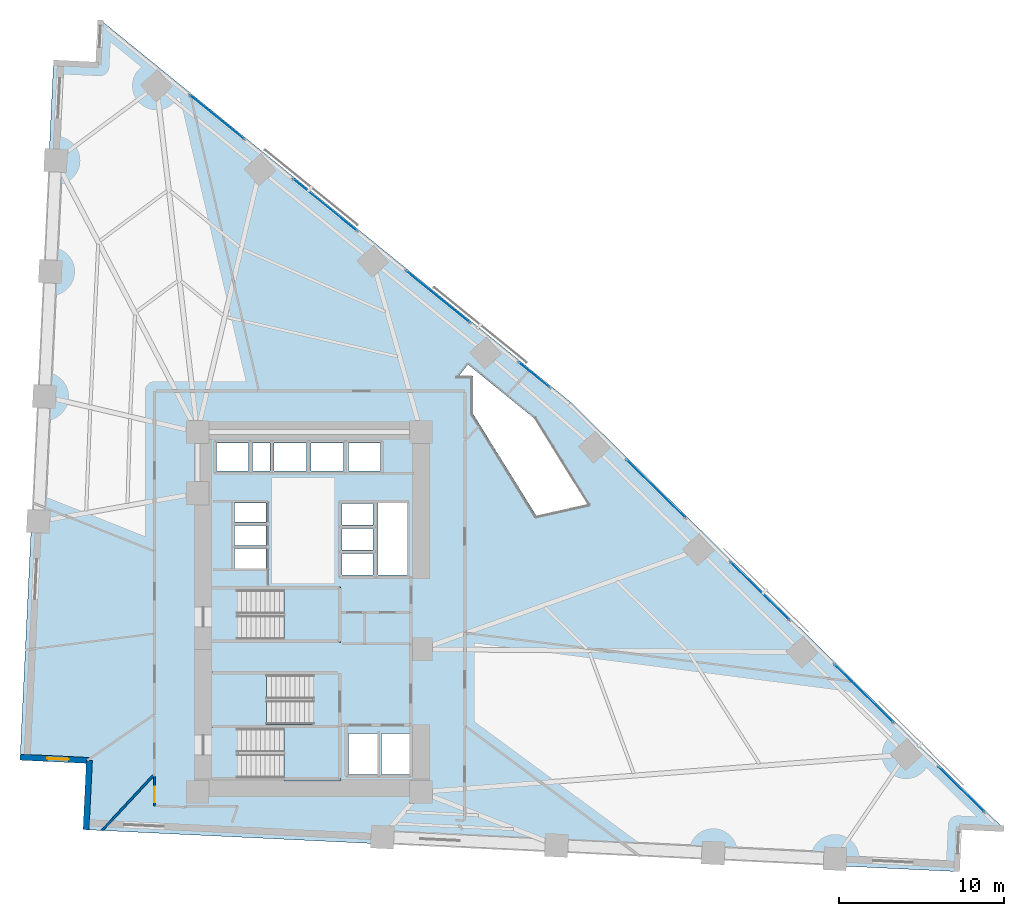
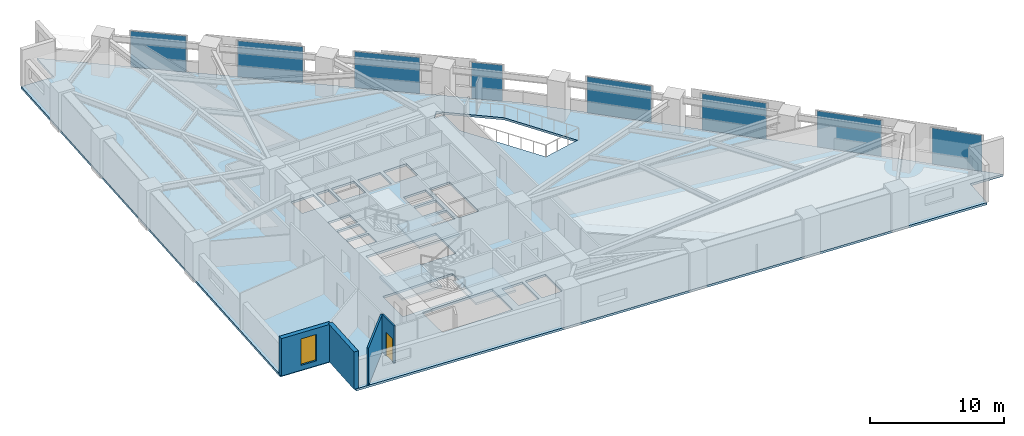
# One storey, part 12 of 17: 8 plates, 4 slabs, 4 walls, 1 door, 1 window, 2 openings, 11 elements without a shape of their own.
"""IFC4 building model written with IfcOpenShell, lengths in metres."""

import ifcopenshell
import ifcopenshell.guid

model = None  # the IFC model being written
_history = None  # IfcOwnerHistory: only IFC2X3 demands one
_inside = {}  # id of a spatial element -> (the spatial element, [elements in it])
_under = {}  # id of a project, library or spatial element -> (it, [spatial elements below it])
_declared = {}  # id of a project -> (the project, [libraries it declares])
_typed = {}  # id of a type object -> (the type object, [elements of that type])
_made_of = {}  # id of a material, layer set ... -> (it, [elements and type objects made of it])


def new_model(schema):
    """Start an empty IFC model of exactly this schema.

    Asked for "IFC4X3", IfcOpenShell would pick the latest addendum, in which some entities
    have other attributes; the version numbers below select the first issue.
    IFC2X3 requires an IfcOwnerHistory on every rooted entity: one is made here for all.
    """
    global model, _history
    if schema == "IFC4X3":
        model = ifcopenshell.file(schema_version=(4, 3, 0, 0))
    else:
        model = ifcopenshell.file(schema=schema)
    _inside.clear()
    _under.clear()
    _declared.clear()
    _typed.clear()
    _made_of.clear()
    _history = None
    if model.schema == "IFC2X3":
        org = make("IfcOrganization", Name="unknown")
        user = make(
            "IfcPersonAndOrganization",
            ThePerson=make("IfcPerson", FamilyName="unknown"),
            TheOrganization=org,
        )
        app = make(
            "IfcApplication",
            ApplicationDeveloper=org,
            Version="unknown",
            ApplicationFullName="unknown",
            ApplicationIdentifier="unknown",
        )
        _history = make(
            "IfcOwnerHistory",
            OwningUser=user,
            OwningApplication=app,
            ChangeAction="ADDED",
            CreationDate=0,
        )
    return model


def make(cls, **values):
    """One entity of the class cls with the attributes given. An attribute that is None is left unset."""
    return model.create_entity(
        cls, **{name: value for name, value in values.items() if value is not None}
    )


def rooted(cls, **values):
    """An entity with a GlobalId (a new one), such as an element, a storey or a relation."""
    return make(cls, GlobalId=ifcopenshell.guid.new(), OwnerHistory=_history, **values)


def si_unit(unit_type, name, prefix=None):
    """IfcSIUnit, for example si_unit("LENGTHUNIT", "METRE", prefix="MILLI")."""
    return make("IfcSIUnit", UnitType=unit_type, Prefix=prefix, Name=name)


def assignment(units):
    """IfcUnitAssignment: the units of a project."""
    return None if units is None else make("IfcUnitAssignment", Units=units)


def point(xyz):
    """IfcCartesianPoint."""
    return None if xyz is None else make("IfcCartesianPoint", Coordinates=xyz)


def direction(xyz):
    """IfcDirection."""
    return None if xyz is None else make("IfcDirection", DirectionRatios=xyz)


def frame(location, z_axis=None, x_axis=None):
    """IfcAxis2Placement3D, a coordinate frame: its origin and axes. An axis left out is left unset."""
    return make(
        "IfcAxis2Placement3D",
        Location=point(location),
        Axis=direction(z_axis),
        RefDirection=direction(x_axis),
    )


def frame_2d(location, x_axis=None):
    """IfcAxis2Placement2D, a coordinate frame in the plane: its origin and x axis."""
    return make(
        "IfcAxis2Placement2D", Location=point(location), RefDirection=direction(x_axis)
    )


def origin():
    """The frame at (0, 0, 0) with its axes left unset."""
    return frame((0.0, 0.0, 0.0))


def origin_2d():
    """The frame at (0, 0) in the plane with its x axis left unset."""
    return frame_2d((0.0, 0.0))


def place(relative_to, where):
    """IfcLocalPlacement: puts the frame where relative to a parent placement (None: the world)."""
    return make(
        "IfcLocalPlacement", PlacementRelTo=relative_to, RelativePlacement=where
    )


def context(
    kind, dimensions, precision=None, world=None, true_north=None, identifier=None
):
    """IfcGeometricRepresentationContext, for example the 3D "Model" context."""
    return make(
        "IfcGeometricRepresentationContext",
        ContextIdentifier=identifier,
        ContextType=kind,
        CoordinateSpaceDimension=dimensions,
        Precision=precision,
        WorldCoordinateSystem=world,
        TrueNorth=true_north,
    )


def subcontext(parent, identifier, kind, view, scale=None):
    """IfcGeometricRepresentationSubContext, for example "Body" below "Model"."""
    return make(
        "IfcGeometricRepresentationSubContext",
        ContextIdentifier=identifier,
        ContextType=kind,
        ParentContext=parent,
        TargetScale=scale,
        TargetView=view,
    )


def project(units=None, contexts=None):
    """IfcProject with its units and contexts."""
    return rooted(
        "IfcProject",
        Name="project",
        RepresentationContexts=contexts,
        UnitsInContext=assignment(units),
    )


def spatial(cls, under=None, at=None, **own):
    """A site, building, storey or space (cls), placed at a placement, below another one or the project."""
    s = rooted(cls, ObjectPlacement=at, **own)
    if under is not None:
        _under.setdefault(under.id(), (under, []))[1].append(s)
    return s


def polyline(points):
    """IfcPolyline through the points."""
    return make("IfcPolyline", Points=[point(p) for p in points])


def profile(cls, at=None, kind="AREA", **sizes):
    """A parametric profile (cls). Its sizes go by their IFC names, for example OverallWidth=200.0."""
    return make(cls, ProfileType=kind, Position=at, **sizes)


def rectangle(**sizes):
    """IfcRectangleProfileDef."""
    return profile("IfcRectangleProfileDef", **sizes)


def outline(outer, holes=None, kind="AREA"):
    """IfcArbitraryClosedProfileDef: a profile drawn as a closed curve; with holes, ...WithVoids."""
    if holes is None:
        return make("IfcArbitraryClosedProfileDef", ProfileType=kind, OuterCurve=outer)
    return make(
        "IfcArbitraryProfileDefWithVoids",
        ProfileType=kind,
        OuterCurve=outer,
        InnerCurves=holes,
    )


def extrude(swept, where, along, depth):
    """IfcExtrudedAreaSolid: the profile swept, set in the frame where, extruded along a direction by depth."""
    return make(
        "IfcExtrudedAreaSolid",
        SweptArea=swept,
        Position=where,
        ExtrudedDirection=direction(along),
        Depth=depth,
    )


def shape(context_of_items, identifier, shape_type, items):
    """IfcShapeRepresentation: the items that make up one representation, for example the "Body"."""
    return make(
        "IfcShapeRepresentation",
        ContextOfItems=context_of_items,
        RepresentationIdentifier=identifier,
        RepresentationType=shape_type,
        Items=items,
    )


def material(Name=None, Category=None):
    """IfcMaterial."""
    return make("IfcMaterial", Name=Name, Category=Category)


def layer(
    of_material, thickness, ventilated=None, Name=None, Category=None, Priority=None
):
    """IfcMaterialLayer: one layer of a wall or slab, of a material (None: an air gap)."""
    return make(
        "IfcMaterialLayer",
        Material=of_material,
        LayerThickness=thickness,
        IsVentilated=ventilated,
        Name=Name,
        Category=Category,
        Priority=Priority,
    )


def layer_set(layers, Name=None):
    """IfcMaterialLayerSet."""
    return make("IfcMaterialLayerSet", MaterialLayers=layers, LayerSetName=Name)


def made_of(thing, what):
    """Note that an element or type object is made of a material, layer set ...; save() writes the relation."""
    if what is not None:
        _made_of.setdefault(what.id(), (what, []))[1].append(thing)
    return thing


def type_object(cls, material=None, **own):
    """A type object (cls), such as IfcWallType, which elements share."""
    return made_of(rooted(cls, **own), material)


def element(
    cls,
    number,
    at=None,
    inside=None,
    cuts=None,
    type_object=None,
    material=None,
    context=None,
    identifier="Body",
    shape_type=None,
    held_by="IfcProductDefinitionShape",
    body=None,
    shapes=None,
    **own,
):
    """One element of the class cls, such as IfcWall. Its Tag is "e" and its number.

    at: its placement. inside: the storey or other place that contains it. cuts: it is an
    opening in that element (IfcRelVoidsElement). A single representation is given by context,
    identifier, shape_type and body (its items); several are given by shapes. held_by: the class
    of the entity that holds the representations. save() writes the other relations.
    """
    e = rooted(cls, Tag="e%d" % number, ObjectPlacement=at, **own)
    if body is not None:
        shapes = [shape(context, identifier, shape_type, body)]
    if shapes is not None:
        e.Representation = make(held_by, Representations=shapes)
    if inside is not None:
        _inside.setdefault(inside.id(), (inside, []))[1].append(e)
    if cuts is not None:
        rooted(
            "IfcRelVoidsElement", RelatingBuildingElement=cuts, RelatedOpeningElement=e
        )
    if type_object is not None:
        _typed.setdefault(type_object.id(), (type_object, []))[1].append(e)
    return made_of(e, material)


def fill(opening, filler):
    """IfcRelFillsElement: the door or window that sits in an opening."""
    return rooted(
        "IfcRelFillsElement",
        RelatingOpeningElement=opening,
        RelatedBuildingElement=filler,
    )


def aggregate(whole, parts):
    """IfcRelAggregates: a whole, such as a stair, and the parts it consists of."""
    return rooted("IfcRelAggregates", RelatingObject=whole, RelatedObjects=parts)


def save(model, path):
    """Write the relations noted so far, then the file.

    IfcRelAggregates (storeys below a building ...), IfcRelContainedInSpatialStructure (elements
    in a storey), IfcRelDefinesByType, IfcRelAssociatesMaterial and IfcRelDeclares: one each for
    every whole, place, type object, material and project.
    """
    for whole, parts in _under.values():
        aggregate(whole, parts)
    for where, things in _inside.values():
        rooted(
            "IfcRelContainedInSpatialStructure",
            RelatedElements=things,
            RelatingStructure=where,
        )
    for kind, things in _typed.values():
        rooted("IfcRelDefinesByType", RelatedObjects=things, RelatingType=kind)
    for what, things in _made_of.values():
        rooted("IfcRelAssociatesMaterial", RelatedObjects=things, RelatingMaterial=what)
    for by, libraries in _declared.values():
        rooted("IfcRelDeclares", RelatingContext=by, RelatedDefinitions=libraries)
    model.write(path)


model = new_model("IFC4")

# Units and contexts
model_context = context("Model", 3, precision=1e-05, world=origin(), true_north=direction((0.0, 1.0)))
body_context = subcontext(model_context, "Body", "Model", "MODEL_VIEW")
ifc_project = project(units=[si_unit("LENGTHUNIT", "METRE"), si_unit("AREAUNIT", "SQUARE_METRE"), si_unit("VOLUMEUNIT", "CUBIC_METRE"), si_unit("PLANEANGLEUNIT", "RADIAN"), si_unit("MASSUNIT", "GRAM", prefix="KILO")], contexts=[model_context])

# Site, building, storey
site_placement = place(None, origin())
site = spatial("IfcSite", under=ifc_project, at=site_placement, CompositionType="ELEMENT")
building_placement = place(site_placement, origin())
building = spatial("IfcBuilding", under=site, at=building_placement, Name="Narakoshi Arena Tower", CompositionType="ELEMENT")
storey_placement = place(building_placement, frame((0.0, 0.0, 51.89990234375)))
storey = spatial("IfcBuildingStorey", under=building, at=storey_placement, Name="L13", CompositionType="ELEMENT", Elevation=51.89990234375)

# Curtain wall, plate
ifc_material_1 = material(Name="Anodised bronze aluminium 6063-T6", Category="aluminium")
curtain_wall_type = type_object("IfcCurtainWallType", Name="CW-HYP-LOW", PredefinedType="NOTDEFINED", material=ifc_material_1)
curtain_wall_1_placement = place(storey_placement, origin())
curtain_wall_1 = element("IfcCurtainWall", 1, at=curtain_wall_1_placement, inside=storey, type_object=curtain_wall_type, Name="L13 Folded Hypotenuse Curtain Wall 1-1", PredefinedType="NOTDEFINED")
ifc_material_2 = material(Name="Bronze-tinted low-E laminated glass", Category="glass")
ifc_layer_1 = layer(ifc_material_2, 0.031982421875)
ifc_layer_set_1 = layer_set([ifc_layer_1], Name="Bronze-tinted low-E laminated glass")
plate_type = type_object("IfcPlateType", Name="PLT-GLZ-32", PredefinedType="CURTAIN_PANEL", material=ifc_layer_set_1)
plate_1_placement = place(storey_placement, frame((118.277587890625, 34.8505859375, 0.065185546875), z_axis=(0.0, 0.0, 1.0), x_axis=(-0.712541277695, 0.701630192894, 0.0)))
plate_1 = element("IfcPlate", 2, at=plate_1_placement, type_object=plate_type, Name="CW-01 panel 1.1", PredefinedType="CURTAIN_PANEL", context=body_context, shape_type="SweptSolid", body=[
    extrude(rectangle(XDim=3.85498046875, YDim=0.031982421875, at=origin_2d()), origin(), (0.0, 0.0, 1.0), 3.27001953125),
])
aggregate(curtain_wall_1, [plate_1])

curtain_wall_2_placement = place(storey_placement, origin())
curtain_wall_2 = element("IfcCurtainWall", 3, at=curtain_wall_2_placement, inside=storey, type_object=curtain_wall_type, Name="L13 Folded Hypotenuse Curtain Wall 1-2", PredefinedType="NOTDEFINED")
plate_2_placement = place(storey_placement, frame((112.375, 40.66259765625, 0.065185546875), z_axis=(0.0, 0.0, 1.0), x_axis=(-0.712548329451, 0.701623031404, 0.0)))
plate_2 = element("IfcPlate", 4, at=plate_2_placement, type_object=plate_type, Name="CW-01 panel 1.1", PredefinedType="CURTAIN_PANEL", context=body_context, shape_type="SweptSolid", body=[
    extrude(rectangle(XDim=4.966552734375, YDim=0.031982421875, at=origin_2d()), origin(), (0.0, 0.0, 1.0), 3.27001953125),
])
aggregate(curtain_wall_2, [plate_2])

curtain_wall_3_placement = place(storey_placement, origin())
curtain_wall_3 = element("IfcCurtainWall", 5, at=curtain_wall_3_placement, inside=storey, type_object=curtain_wall_type, Name="L13 Folded Hypotenuse Curtain Wall 1-3", PredefinedType="NOTDEFINED")
plate_3_placement = place(storey_placement, frame((106.07666015625, 46.864501953125, 0.065185546875), z_axis=(0.0, 0.0, 1.0), x_axis=(-0.712538708053, 0.701632802488, 0.0)))
plate_3 = element("IfcPlate", 6, at=plate_3_placement, type_object=plate_type, Name="CW-01 panel 1.1", PredefinedType="CURTAIN_PANEL", context=body_context, shape_type="SweptSolid", body=[
    extrude(rectangle(XDim=4.966552734375, YDim=0.031982421875, at=origin_2d()), origin(), (0.0, 0.0, 1.0), 3.27001953125),
])
aggregate(curtain_wall_3, [plate_3])

curtain_wall_4_placement = place(storey_placement, origin())
curtain_wall_4 = element("IfcCurtainWall", 7, at=curtain_wall_4_placement, inside=storey, type_object=curtain_wall_type, Name="L13 Folded Hypotenuse Curtain Wall 1-4", PredefinedType="NOTDEFINED")
plate_4_placement = place(storey_placement, frame((99.7783203125, 53.06640625, 0.065185546875), z_axis=(0.0, 0.0, 1.0), x_axis=(-0.712538708053, 0.701632802488, 0.0)))
plate_4 = element("IfcPlate", 8, at=plate_4_placement, type_object=plate_type, Name="CW-01 panel 1.1", PredefinedType="CURTAIN_PANEL", context=body_context, shape_type="SweptSolid", body=[
    extrude(rectangle(XDim=4.966552734375, YDim=0.031982421875, at=origin_2d()), origin(), (0.0, 0.0, 1.0), 3.27001953125),
])
aggregate(curtain_wall_4, [plate_4])

curtain_wall_5_placement = place(storey_placement, origin())
curtain_wall_5 = element("IfcCurtainWall", 9, at=curtain_wall_5_placement, inside=storey, type_object=curtain_wall_type, Name="L13 Folded Hypotenuse Curtain Wall 2-1", PredefinedType="NOTDEFINED")
plate_5_placement = place(storey_placement, frame((92.40087890625, 59.964111328125, 0.065185546875), z_axis=(0.0, 0.0, 1.0), x_axis=(-0.776007918256, 0.63072316495, 0.0)))
plate_5 = element("IfcPlate", 10, at=plate_5_placement, type_object=plate_type, Name="CW-01 panel 1.1", PredefinedType="CURTAIN_PANEL", context=body_context, shape_type="SweptSolid", body=[
    extrude(rectangle(XDim=2.35888671875, YDim=0.031982421875, at=origin_2d()), origin(), (0.0, 0.0, 1.0), 3.27001953125),
])
aggregate(curtain_wall_5, [plate_5])

curtain_wall_6_placement = place(storey_placement, origin())
curtain_wall_6 = element("IfcCurtainWall", 11, at=curtain_wall_6_placement, inside=storey, type_object=curtain_wall_type, Name="L13 Folded Hypotenuse Curtain Wall 2-2", PredefinedType="NOTDEFINED")
plate_6_placement = place(storey_placement, frame((86.566650390625, 64.7060546875, 0.065185546875), z_axis=(0.0, 0.0, 1.0), x_axis=(-0.775998434519, 0.630734833051, 0.0)))
plate_6 = element("IfcPlate", 12, at=plate_6_placement, type_object=plate_type, Name="CW-01 panel 1.1", PredefinedType="CURTAIN_PANEL", context=body_context, shape_type="SweptSolid", body=[
    extrude(rectangle(XDim=4.932373046875, YDim=0.031982421875, at=origin_2d()), origin(), (0.0, 0.0, 1.0), 3.27001953125),
])
aggregate(curtain_wall_6, [plate_6])

curtain_wall_7_placement = place(storey_placement, origin())
curtain_wall_7 = element("IfcCurtainWall", 13, at=curtain_wall_7_placement, inside=storey, type_object=curtain_wall_type, Name="L13 Folded Hypotenuse Curtain Wall 2-3", PredefinedType="NOTDEFINED")
plate_7_placement = place(storey_placement, frame((79.73388671875, 70.259765625, 0.065185546875), z_axis=(0.0, 0.0, 1.0), x_axis=(-0.776008064665, 0.630722984816, 0.0)))
plate_7 = element("IfcPlate", 14, at=plate_7_placement, type_object=plate_type, Name="CW-01 panel 1.1", PredefinedType="CURTAIN_PANEL", context=body_context, shape_type="SweptSolid", body=[
    extrude(rectangle(XDim=4.932373046875, YDim=0.031982421875, at=origin_2d()), origin(), (0.0, 0.0, 1.0), 3.27001953125),
])
aggregate(curtain_wall_7, [plate_7])

curtain_wall_8_placement = place(storey_placement, origin())
curtain_wall_8 = element("IfcCurtainWall", 15, at=curtain_wall_8_placement, inside=storey, type_object=curtain_wall_type, Name="L13 Folded Hypotenuse Curtain Wall 2-4", PredefinedType="NOTDEFINED")
plate_8_placement = place(storey_placement, frame((73.18603515625, 75.58203125, 0.065185546875), z_axis=(0.0, 0.0, 1.0), x_axis=(-0.775999332044, 0.630733728817, 0.0)))
plate_8 = element("IfcPlate", 16, at=plate_8_placement, type_object=plate_type, Name="CW-01 panel 1.1", PredefinedType="CURTAIN_PANEL", context=body_context, shape_type="SweptSolid", body=[
    extrude(rectangle(XDim=4.198486328125, YDim=0.031982421875, at=origin_2d()), origin(), (0.0, 0.0, 1.0), 3.27001953125),
])
aggregate(curtain_wall_8, [plate_8])

# Stair, slab
ifc_material_3 = material(Name="Concrete C45/55", Category="concrete")
stair_type = type_object("IfcStairType", Name="STR-CORE-360", PredefinedType="TWO_STRAIGHT_RUN_STAIR", material=ifc_material_3)
stair_1_placement = place(storey_placement, origin())
stair_1 = element("IfcStair", 17, at=stair_1_placement, inside=storey, type_object=stair_type, Name="L13 Core Escape Stair ST1", PredefinedType="TWO_STRAIGHT_RUN_STAIR")
ifc_layer_2 = layer(ifc_material_3, 0.18994140625)
ifc_layer_set_2 = layer_set([ifc_layer_2], Name="Concrete C45/55")
slab_type_1 = type_object("IfcSlabType", Name="SLB-LND-190", PredefinedType="LANDING", material=ifc_layer_set_2)
slab_1_placement = place(storey_placement, frame((0.0, 0.0, 1.610107421875)))
slab_1 = element("IfcSlab", 18, at=slab_1_placement, type_object=slab_type_1, Name="ST1 landing 1", PredefinedType="LANDING", context=body_context, shape_type="SweptSolid", body=[
    extrude(outline(polyline([(77.25, 35.3701171875), (80.679931640625, 35.3701171875), (80.679931640625, 38.72998046875), (77.25, 38.72998046875), (77.25, 35.3701171875)])), origin(), (0.0, 0.0, 1.0), 0.18994140625),
])
aggregate(stair_1, [slab_1])

stair_2_placement = place(storey_placement, origin())
stair_2 = element("IfcStair", 19, at=stair_2_placement, inside=storey, type_object=stair_type, Name="L13 Core Escape Stair ST2", PredefinedType="TWO_STRAIGHT_RUN_STAIR")
slab_2_placement = place(storey_placement, frame((0.0, 0.0, 1.610107421875)))
slab_2 = element("IfcSlab", 20, at=slab_2_placement, type_object=slab_type_1, Name="ST2 landing 1", PredefinedType="LANDING", context=body_context, shape_type="SweptSolid", body=[
    extrude(outline(polyline([(72.77001953125, 38.6201171875), (76.199951171875, 38.6201171875), (76.199951171875, 41.97998046875), (72.77001953125, 41.97998046875), (72.77001953125, 38.6201171875)])), origin(), (0.0, 0.0, 1.0), 0.18994140625),
])
aggregate(stair_2, [slab_2])

stair_3_placement = place(storey_placement, origin())
stair_3 = element("IfcStair", 21, at=stair_3_placement, inside=storey, type_object=stair_type, Name="L13 Core Escape Stair ST3", PredefinedType="TWO_STRAIGHT_RUN_STAIR")
slab_3_placement = place(storey_placement, frame((0.0, 0.0, 1.610107421875)))
slab_3 = element("IfcSlab", 22, at=slab_3_placement, type_object=slab_type_1, Name="ST3 landing 1", PredefinedType="LANDING", context=body_context, shape_type="SweptSolid", body=[
    extrude(outline(polyline([(77.25, 43.77001953125), (80.679931640625, 43.77001953125), (80.679931640625, 47.1298828125), (77.25, 47.1298828125), (77.25, 43.77001953125)])), origin(), (0.0, 0.0, 1.0), 0.18994140625),
])
aggregate(stair_3, [slab_3])

# Slab
ifc_layer_3 = layer(ifc_material_3, 0.199951171875)
ifc_layer_set_3 = layer_set([ifc_layer_3], Name="Concrete C45/55")
slab_type_2 = type_object("IfcSlabType", Name="SLB-TWR-200", PredefinedType="FLOOR", material=ifc_layer_set_3)
slab_4_placement = place(storey_placement, frame((0.0, 0.0, -0.199951171875)))
element("IfcSlab", 23, at=slab_4_placement, inside=storey, type_object=slab_type_2, Name="L13 Structural Floor Slab", PredefinedType="FLOOR", context=body_context, shape_type="SweptSolid", body=[
    extrude(outline(polyline([(65.26025390625, 32.416015625), (117.99951171875, 29.8828125), (118.130615234375, 32.609619140625), (120.857421875, 32.478515625), (94.614013671875, 58.31982421875), (66.144287109375, 81.4599609375), (66.013427734375, 78.733154296875), (63.28662109375, 78.8642578125), (61.2666015625, 36.8125), (65.4619140625, 36.611083984375), (65.26025390625, 32.416015625)]), holes=[polyline([(74.47998046875, 35.550048828125), (74.47998046875, 38.550048828125), (80.5, 38.550048828125), (80.5, 35.550048828125), (74.47998046875, 35.550048828125)]), polyline([(81.14990234375, 35.75), (81.14990234375, 38.25), (82.89990234375, 38.25), (82.89990234375, 35.75), (81.14990234375, 35.75)]), polyline([(83.14990234375, 35.75), (83.14990234375, 38.25), (84.89990234375, 38.25), (84.89990234375, 35.75), (83.14990234375, 35.75)]), polyline([(72.949951171875, 38.800048828125), (72.949951171875, 41.800048828125), (78.969970703125, 41.800048828125), (78.969970703125, 38.800048828125), (72.949951171875, 38.800048828125)]), polyline([(74.47998046875, 43.949951171875), (74.47998046875, 46.949951171875), (80.5, 46.949951171875), (80.5, 43.949951171875), (74.47998046875, 43.949951171875)]), polyline([(82.949951171875, 47.840087890625), (82.949951171875, 52.199951171875), (84.699951171875, 52.199951171875), (84.699951171875, 47.840087890625), (82.949951171875, 47.840087890625)]), polyline([(80.75, 47.85009765625), (80.75, 49.14990234375), (82.64990234375, 49.14990234375), (82.64990234375, 47.85009765625), (80.75, 47.85009765625)]), polyline([(74.25, 48.25), (74.25, 49.449951171875), (76.14990234375, 49.449951171875), (76.14990234375, 48.25), (74.25, 48.25)]), polyline([(80.75, 49.3701171875), (80.75, 50.669921875), (82.64990234375, 50.669921875), (82.64990234375, 49.3701171875), (80.75, 49.3701171875)]), polyline([(74.25, 49.64990234375), (74.25, 50.85009765625), (76.14990234375, 50.85009765625), (76.14990234375, 49.64990234375), (74.25, 49.64990234375)]), polyline([(80.75, 50.889892578125), (80.75, 52.18994140625), (82.64990234375, 52.18994140625), (82.64990234375, 50.889892578125), (80.75, 50.889892578125)]), polyline([(74.25, 51.050048828125), (74.25, 52.2099609375), (76.14990234375, 52.2099609375), (76.14990234375, 51.050048828125), (74.25, 51.050048828125)]), polyline([(95.6357421875, 52.126708984375), (92.53662109375, 51.4306640625), (88.699951171875, 57.60693359375), (88.699951171875, 59.89990234375), (87.83251953125, 59.89990234375), (88.399169921875, 60.600830078125), (92.3837890625, 57.3623046875), (95.6357421875, 52.126708984375)]), polyline([(73.14990234375, 54.14990234375), (73.14990234375, 55.85009765625), (75.10009765625, 55.85009765625), (75.10009765625, 54.14990234375), (73.14990234375, 54.14990234375)]), polyline([(75.35009765625, 55.85009765625), (76.39990234375, 55.85009765625), (76.39990234375, 54.14990234375), (75.35009765625, 54.14990234375), (75.35009765625, 55.85009765625)]), polyline([(76.64990234375, 55.85009765625), (78.60009765625, 55.85009765625), (78.60009765625, 54.14990234375), (76.64990234375, 54.14990234375), (76.64990234375, 55.85009765625)]), polyline([(78.89990234375, 54.14990234375), (78.89990234375, 55.85009765625), (80.85009765625, 55.85009765625), (80.85009765625, 54.14990234375), (78.89990234375, 54.14990234375)]), polyline([(81.14990234375, 55.85009765625), (83.10009765625, 55.85009765625), (83.10009765625, 54.14990234375), (81.14990234375, 54.14990234375), (81.14990234375, 55.85009765625)])]), origin(), (0.0, 0.0, 1.0), 0.199951171875),
])

# Wall, opening, window
ifc_material_4 = material(Name="Precast concrete C45/55", Category="concrete")
ifc_layer_4 = layer(ifc_material_4, 0.419921875)
ifc_layer_set_4 = layer_set([ifc_layer_4], Name="Precast concrete C45/55")
wall_type_1 = type_object("IfcWallType", Name="WL-POD-420", PredefinedType="SOLIDWALL", material=ifc_layer_set_4)
wall_1_placement = place(storey_placement, frame((61.2666015625, 36.8125, 0.0), z_axis=(0.0, 0.0, 1.0), x_axis=(0.998849519138, -0.047954542207, 0.0)))
wall_1 = element("IfcWall", 24, at=wall_1_placement, inside=storey, type_object=wall_type_1, Name="L13 Re-Entrant Corner Notch Wall NTA-1", PredefinedType="SOLIDWALL", context=body_context, shape_type="SweptSolid", body=[
    extrude(rectangle(XDim=4.2001953125, YDim=0.360107421875, at=frame_2d((2.10009765625, 0.0))), origin(), (0.0, 0.0, 1.0), 3.400146484375),
])
opening_1_placement = place(wall_1_placement, frame((1.635009765625, 0.0, 0.449951171875)))
opening_1 = element("IfcOpeningElement", 25, at=opening_1_placement, cuts=wall_1, Name="Opening WN-06", PredefinedType="OPENING", context=body_context, shape_type="SweptSolid", body=[
    extrude(rectangle(XDim=1.300048828125, YDim=2.39990234375, at=frame_2d((0.64990234375, 1.199951171875))), frame((0.0, 0.18994140625, 0.0), z_axis=(0.0, -1.0, 0.0), x_axis=(1.0, 0.0, 0.0)), (0.0, 0.0, 1.0), 0.380126953125),
])
window_type = type_object("IfcWindowType", Name="WIN-NTC-16x24", PartitioningType="SINGLE_PANEL", PredefinedType="WINDOW", material=ifc_material_2)
window_placement = place(opening_1_placement, origin())
window = element("IfcWindow", 26, at=window_placement, inside=storey, type_object=window_type, Name="L13 Corner Notch Window NTA", OverallHeight=2.39990234375, OverallWidth=1.300048828125, PartitioningType="SINGLE_PANEL", PredefinedType="WINDOW", context=body_context, shape_type="SweptSolid", body=[
    extrude(rectangle(XDim=1.300048828125, YDim=2.39990234375, at=frame_2d((0.64990234375, 1.199951171875))), frame((0.0, 0.030029296875, 0.0), z_axis=(0.0, -1.0, 0.0), x_axis=(1.0, 0.0, 0.0)), (0.0, 0.0, 1.0), 0.06005859375),
])
fill(opening_1, window)

# Walls
wall_2_placement = place(storey_placement, frame((65.4619140625, 36.611083984375, 0.0), z_axis=(0.0, 0.0, 1.0), x_axis=(-0.048015322758, -0.998846599224, 0.0)))
element("IfcWall", 27, at=wall_2_placement, inside=storey, type_object=wall_type_1, Name="L13 Re-Entrant Corner Notch Wall NTA-2", PredefinedType="SOLIDWALL", context=body_context, shape_type="SweptSolid", body=[
    extrude(rectangle(XDim=4.199951171875, YDim=0.360107421875, at=frame_2d((2.10009765625, 0.0))), origin(), (0.0, 0.0, 1.0), 3.400146484375),
])
ifc_material_5 = material(Name="Moisture-resistant cement-board partition")
ifc_layer_5 = layer(ifc_material_5, 0.14501953125)
ifc_layer_set_5 = layer_set([ifc_layer_5], Name="Moisture-resistant cement-board partition")
wall_type_2 = type_object("IfcWallType", Name="WL-WET-145", PredefinedType="PARTITIONING", material=ifc_layer_set_5)
wall_3_placement = place(storey_placement, frame((69.330810546875, 35.6982421875, 0.0), z_axis=(0.0, 0.0, 1.0), x_axis=(-0.682115663915, -0.731244296416, 0.0)))
element("IfcWall", 28, at=wall_3_placement, inside=storey, type_object=wall_type_2, Name="L13 Inter-Room Partition 03-04", PredefinedType="PARTITIONING", context=body_context, shape_type="SweptSolid", body=[
    extrude(rectangle(XDim=4.552001953125, YDim=0.14501953125, at=frame_2d((2.27587890625, 0.0))), origin(), (0.0, 0.0, 1.0), 3.400146484375),
])

# Wall, opening, door
wall_4_placement = place(storey_placement, frame((69.402587890625, 35.6298828125, 0.0), z_axis=(0.0, 0.0, 1.0), x_axis=(0.0, -1.0, 0.0)))
wall_4 = element("IfcWall", 29, at=wall_4_placement, inside=storey, type_object=wall_type_2, Name="L13 Corridor Partition 04-2", PredefinedType="PARTITIONING", context=body_context, shape_type="SweptSolid", body=[
    extrude(rectangle(XDim=1.760986328125, YDim=0.14501953125, at=frame_2d((0.88037109375, 0.0))), origin(), (0.0, 0.0, 1.0), 3.400146484375),
])
opening_2_placement = place(wall_4_placement, frame((0.594482421875, 0.0, 0.0)))
opening_2 = element("IfcOpeningElement", 30, at=opening_2_placement, cuts=wall_4, Name="Opening D-07", PredefinedType="OPENING", context=body_context, shape_type="SweptSolid", body=[
    extrude(rectangle(XDim=0.949951171875, YDim=2.14990234375, at=frame_2d((0.47509765625, 1.074951171875))), frame((0.0, 0.08251953125, 0.0), z_axis=(0.0, -1.0, 0.0), x_axis=(1.0, 0.0, 0.0)), (0.0, 0.0, 1.0), 0.1650390625),
])
ifc_material_6 = material(Name="Stained oak solid-core timber", Category="wood")
door_type = type_object("IfcDoorType", Name="DR-ACC-950", OperationType="NOTDEFINED", PredefinedType="DOOR", material=ifc_material_6)
door_placement = place(opening_2_placement, frame((0.949951171875, 0.0, 0.0), z_axis=(0.0, 0.0, 1.0), x_axis=(-1.0, 0.0, 0.0)))
door = element("IfcDoor", 31, at=door_placement, inside=storey, type_object=door_type, Name="DR-L13-017", OperationType="SINGLE_SWING_RIGHT", OverallHeight=2.14990234375, OverallWidth=0.949951171875, PredefinedType="DOOR", context=body_context, shape_type="SweptSolid", body=[
    extrude(rectangle(XDim=0.949951171875, YDim=2.14990234375, at=frame_2d((0.47509765625, 1.074951171875))), frame((0.0, 0.02490234375, 0.0), z_axis=(0.0, -1.0, 0.0), x_axis=(1.0, 0.0, 0.0)), (0.0, 0.0, 1.0), 0.050048828125),
])
fill(opening_2, door)

save(model, "model.ifc")
